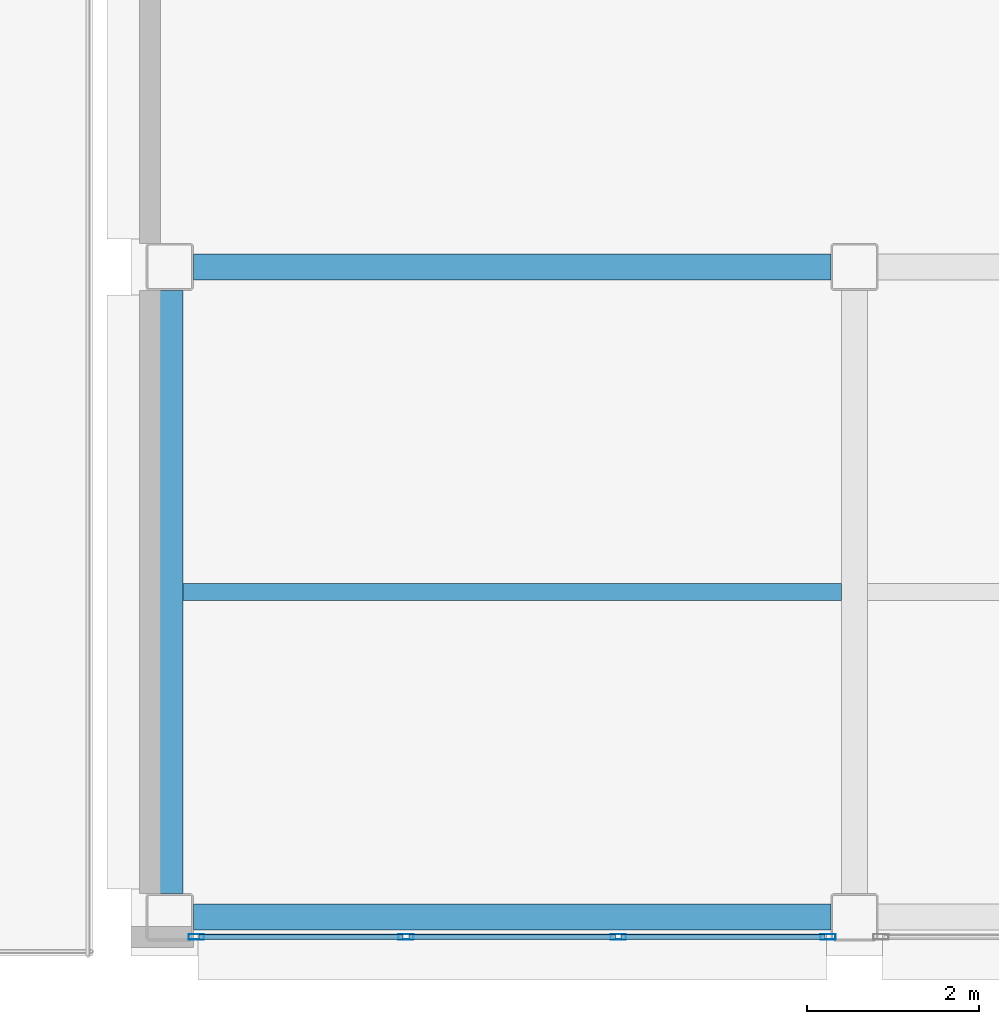
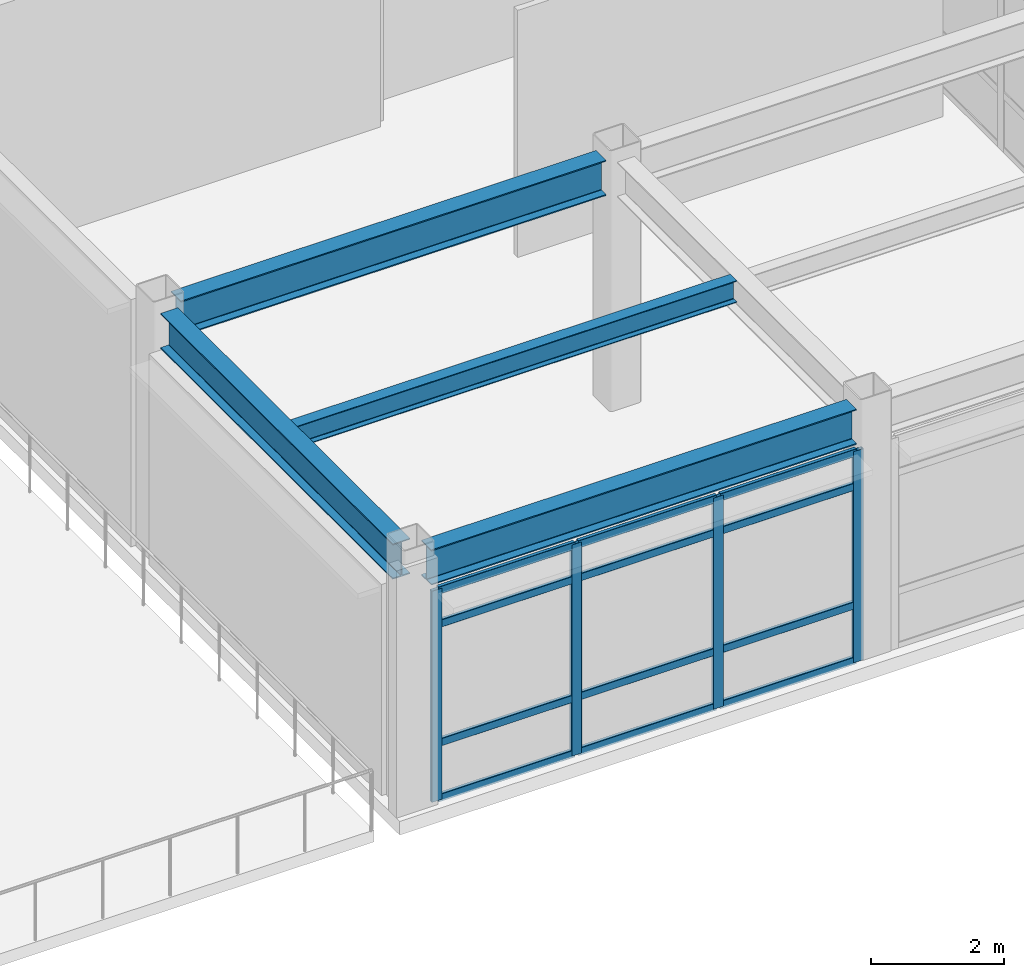
# One storey, part 15 of 154: 16 members, 4 beams, 1 element without a shape of its own.
"""IFC4 building model written with IfcOpenShell, lengths in metres."""

from ifc_helpers import new_model, si_unit, direction, frame, origin, origin_2d, place, context, subcontext, project, spatial, hollow_rectangle, i_section, extrude, material, layer, layer_set, material_profile, profile_set, type_object, element, aggregate, save


model = new_model("IFC4")

# Units and contexts
model_context = context("Model", 3, precision=1e-05, world=origin(), true_north=direction((0.0, 1.0)))
body_context = subcontext(model_context, "Body", "Model", "MODEL_VIEW")
ifc_project = project(units=[si_unit("LENGTHUNIT", "METRE"), si_unit("AREAUNIT", "SQUARE_METRE"), si_unit("VOLUMEUNIT", "CUBIC_METRE"), si_unit("PLANEANGLEUNIT", "RADIAN"), si_unit("MASSUNIT", "GRAM", prefix="KILO")], contexts=[model_context])

# Site, building, storey
site_placement = place(None, origin())
site = spatial("IfcSite", under=ifc_project, at=site_placement, CompositionType="ELEMENT")
building_placement = place(site_placement, origin())
building = spatial("IfcBuilding", under=site, at=building_placement, Name="Kazehara Bluff Congress Hotel", CompositionType="ELEMENT")
storey_placement = place(building_placement, frame((0.0, 0.0, 10.199951171875)))
storey = spatial("IfcBuildingStorey", under=building, at=storey_placement, Name="L02", CompositionType="ELEMENT", Elevation=10.199951171875)

# Curtain wall, members
ifc_material_1 = material(Name="Anodised aluminium", Category="aluminium")
ifc_layer = layer(ifc_material_1, 0.159912109375)
ifc_layer_set = layer_set([ifc_layer], Name="Anodised aluminium")
curtain_wall_type = type_object("IfcCurtainWallType", Name="TP-CW-34", PredefinedType="NOTDEFINED", material=ifc_layer_set)
curtain_wall_placement = place(storey_placement, origin())
curtain_wall = element("IfcCurtainWall", 1, at=curtain_wall_placement, inside=storey, type_object=curtain_wall_type, Name="L02 curtain wall CW-34 CW-ENC-V4-L02-6368-22", PredefinedType="NOTDEFINED")
ifc_material_2 = material(Name="Anodised aluminium", Category="aluminium")
ifc_material_profile_1 = material_profile(ifc_material_2, hollow_rectangle(XDim=0.06494140625, YDim=0.179931640625, WallThickness=0.00390625, InnerFilletRadius=0.00390625, OuterFilletRadius=0.008056640625, at=origin_2d()))
ifc_profile_set_1 = profile_set([ifc_material_profile_1], Name="Anodised aluminium")
member_type_1 = type_object("IfcMemberType", Name="TP-CWM-02", PredefinedType="MULLION", material=ifc_profile_set_1)
member_1_placement = place(storey_placement, frame((67.342529296875, 0.219970703125, 0.0), z_axis=(0.0, 0.0, 1.0), x_axis=(0.0, -1.0, 0.0)))
member_1 = element("IfcMember", 2, at=member_1_placement, type_object=member_type_1, Name="CW-34 mullion 1", PredefinedType="MULLION", context=body_context, shape_type="SweptSolid", body=[
    extrude(hollow_rectangle(XDim=0.06494140625, YDim=0.179931640625, WallThickness=0.00390625, InnerFilletRadius=0.00390625, OuterFilletRadius=0.008056640625, at=origin_2d()), origin(), (0.0, 0.0, 1.0), 3.885009765625),
])
member_2_placement = place(storey_placement, frame((64.908447265625, 0.219970703125, 0.0), z_axis=(0.0, 0.0, 1.0), x_axis=(0.0, -1.0, 0.0)))
member_2 = element("IfcMember", 3, at=member_2_placement, type_object=member_type_1, Name="CW-34 mullion 2", PredefinedType="MULLION", context=body_context, shape_type="SweptSolid", body=[
    extrude(hollow_rectangle(XDim=0.06494140625, YDim=0.179931640625, WallThickness=0.00390625, InnerFilletRadius=0.00390625, OuterFilletRadius=0.008056640625, at=origin_2d()), origin(), (0.0, 0.0, 1.0), 3.885009765625),
])
member_3_placement = place(storey_placement, frame((62.441650390625, 0.219970703125, 0.0), z_axis=(0.0, 0.0, 1.0), x_axis=(0.0, -1.0, 0.0)))
member_3 = element("IfcMember", 4, at=member_3_placement, type_object=member_type_1, Name="CW-34 mullion 3", PredefinedType="MULLION", context=body_context, shape_type="SweptSolid", body=[
    extrude(hollow_rectangle(XDim=0.06494140625, YDim=0.179931640625, WallThickness=0.00390625, InnerFilletRadius=0.00390625, OuterFilletRadius=0.008056640625, at=origin_2d()), origin(), (0.0, 0.0, 1.0), 3.885009765625),
])
member_4_placement = place(storey_placement, frame((60.007568359375, 0.219970703125, 0.0), z_axis=(0.0, 0.0, 1.0), x_axis=(0.0, -1.0, 0.0)))
member_4 = element("IfcMember", 5, at=member_4_placement, type_object=member_type_1, Name="CW-34 mullion 4", PredefinedType="MULLION", context=body_context, shape_type="SweptSolid", body=[
    extrude(hollow_rectangle(XDim=0.06494140625, YDim=0.179931640625, WallThickness=0.00390625, InnerFilletRadius=0.00390625, OuterFilletRadius=0.008056640625, at=origin_2d()), origin(), (0.0, 0.0, 1.0), 3.885009765625),
])
ifc_material_3 = material(Name="Anodised aluminium", Category="aluminium")
ifc_material_profile_2 = material_profile(ifc_material_3, hollow_rectangle(XDim=0.06494140625, YDim=0.139892578125, WallThickness=0.00390625, InnerFilletRadius=0.00390625, OuterFilletRadius=0.008056640625, at=origin_2d()))
ifc_profile_set_2 = profile_set([ifc_material_profile_2], Name="Anodised aluminium")
member_type_2 = type_object("IfcMemberType", Name="TP-CWT-02", PredefinedType="USERDEFINED", material=ifc_profile_set_2)
member_5_placement = place(storey_placement, frame((67.31005859375, 0.219970703125, 0.032470703125), z_axis=(-1.0, 0.0, 0.0), x_axis=(0.0, -1.0, 0.0)))
member_5 = element("IfcMember", 6, at=member_5_placement, type_object=member_type_2, Name="CW-34 transom 1.1", ObjectType="TRANSOM", PredefinedType="USERDEFINED", context=body_context, shape_type="SweptSolid", body=[
    extrude(hollow_rectangle(XDim=0.06494140625, YDim=0.139892578125, WallThickness=0.00390625, InnerFilletRadius=0.00390625, OuterFilletRadius=0.008056640625, at=origin_2d()), origin(), (0.0, 0.0, 1.0), 2.369140625),
])
member_6_placement = place(storey_placement, frame((67.31005859375, 0.219970703125, 1.050048828125), z_axis=(-1.0, 0.0, 0.0), x_axis=(0.0, -1.0, 0.0)))
member_6 = element("IfcMember", 7, at=member_6_placement, type_object=member_type_2, Name="CW-34 transom 1.2", ObjectType="TRANSOM", PredefinedType="USERDEFINED", context=body_context, shape_type="SweptSolid", body=[
    extrude(hollow_rectangle(XDim=0.06494140625, YDim=0.139892578125, WallThickness=0.00390625, InnerFilletRadius=0.00390625, OuterFilletRadius=0.008056640625, at=origin_2d()), origin(), (0.0, 0.0, 1.0), 2.369140625),
])
member_7_placement = place(storey_placement, frame((67.31005859375, 0.219970703125, 3.235107421875), z_axis=(-1.0, 0.0, 0.0), x_axis=(0.0, -1.0, 0.0)))
member_7 = element("IfcMember", 8, at=member_7_placement, type_object=member_type_2, Name="CW-34 transom 1.3", ObjectType="TRANSOM", PredefinedType="USERDEFINED", context=body_context, shape_type="SweptSolid", body=[
    extrude(hollow_rectangle(XDim=0.06494140625, YDim=0.139892578125, WallThickness=0.00390625, InnerFilletRadius=0.00390625, OuterFilletRadius=0.008056640625, at=origin_2d()), origin(), (0.0, 0.0, 1.0), 2.369140625),
])
member_8_placement = place(storey_placement, frame((67.31005859375, 0.219970703125, 3.8525390625), z_axis=(-1.0, 0.0, 0.0), x_axis=(0.0, -1.0, 0.0)))
member_8 = element("IfcMember", 9, at=member_8_placement, type_object=member_type_2, Name="CW-34 transom 1.4", ObjectType="TRANSOM", PredefinedType="USERDEFINED", context=body_context, shape_type="SweptSolid", body=[
    extrude(hollow_rectangle(XDim=0.06494140625, YDim=0.139892578125, WallThickness=0.00390625, InnerFilletRadius=0.00390625, OuterFilletRadius=0.008056640625, at=origin_2d()), origin(), (0.0, 0.0, 1.0), 2.369140625),
])
member_9_placement = place(storey_placement, frame((64.875732421875, 0.219970703125, 0.032470703125), z_axis=(-1.0, 0.0, 0.0), x_axis=(0.0, -1.0, 0.0)))
member_9 = element("IfcMember", 10, at=member_9_placement, type_object=member_type_2, Name="CW-34 transom 2.1", ObjectType="TRANSOM", PredefinedType="USERDEFINED", context=body_context, shape_type="SweptSolid", body=[
    extrude(hollow_rectangle(XDim=0.06494140625, YDim=0.139892578125, WallThickness=0.00390625, InnerFilletRadius=0.00390625, OuterFilletRadius=0.008056640625, at=origin_2d()), origin(), (0.0, 0.0, 1.0), 2.401611328125),
])
member_10_placement = place(storey_placement, frame((64.875732421875, 0.219970703125, 1.050048828125), z_axis=(-1.0, 0.0, 0.0), x_axis=(0.0, -1.0, 0.0)))
member_10 = element("IfcMember", 11, at=member_10_placement, type_object=member_type_2, Name="CW-34 transom 2.2", ObjectType="TRANSOM", PredefinedType="USERDEFINED", context=body_context, shape_type="SweptSolid", body=[
    extrude(hollow_rectangle(XDim=0.06494140625, YDim=0.139892578125, WallThickness=0.00390625, InnerFilletRadius=0.00390625, OuterFilletRadius=0.008056640625, at=origin_2d()), origin(), (0.0, 0.0, 1.0), 2.401611328125),
])
member_11_placement = place(storey_placement, frame((64.875732421875, 0.219970703125, 3.235107421875), z_axis=(-1.0, 0.0, 0.0), x_axis=(0.0, -1.0, 0.0)))
member_11 = element("IfcMember", 12, at=member_11_placement, type_object=member_type_2, Name="CW-34 transom 2.3", ObjectType="TRANSOM", PredefinedType="USERDEFINED", context=body_context, shape_type="SweptSolid", body=[
    extrude(hollow_rectangle(XDim=0.06494140625, YDim=0.139892578125, WallThickness=0.00390625, InnerFilletRadius=0.00390625, OuterFilletRadius=0.008056640625, at=origin_2d()), origin(), (0.0, 0.0, 1.0), 2.401611328125),
])
member_12_placement = place(storey_placement, frame((64.875732421875, 0.219970703125, 3.8525390625), z_axis=(-1.0, 0.0, 0.0), x_axis=(0.0, -1.0, 0.0)))
member_12 = element("IfcMember", 13, at=member_12_placement, type_object=member_type_2, Name="CW-34 transom 2.4", ObjectType="TRANSOM", PredefinedType="USERDEFINED", context=body_context, shape_type="SweptSolid", body=[
    extrude(hollow_rectangle(XDim=0.06494140625, YDim=0.139892578125, WallThickness=0.00390625, InnerFilletRadius=0.00390625, OuterFilletRadius=0.008056640625, at=origin_2d()), origin(), (0.0, 0.0, 1.0), 2.401611328125),
])
member_13_placement = place(storey_placement, frame((62.4091796875, 0.219970703125, 0.032470703125), z_axis=(-1.0, 0.0, 0.0), x_axis=(0.0, -1.0, 0.0)))
member_13 = element("IfcMember", 14, at=member_13_placement, type_object=member_type_2, Name="CW-34 transom 3.1", ObjectType="TRANSOM", PredefinedType="USERDEFINED", context=body_context, shape_type="SweptSolid", body=[
    extrude(hollow_rectangle(XDim=0.06494140625, YDim=0.139892578125, WallThickness=0.00390625, InnerFilletRadius=0.00390625, OuterFilletRadius=0.008056640625, at=origin_2d()), origin(), (0.0, 0.0, 1.0), 2.369140625),
])
member_14_placement = place(storey_placement, frame((62.4091796875, 0.219970703125, 1.050048828125), z_axis=(-1.0, 0.0, 0.0), x_axis=(0.0, -1.0, 0.0)))
member_14 = element("IfcMember", 15, at=member_14_placement, type_object=member_type_2, Name="CW-34 transom 3.2", ObjectType="TRANSOM", PredefinedType="USERDEFINED", context=body_context, shape_type="SweptSolid", body=[
    extrude(hollow_rectangle(XDim=0.06494140625, YDim=0.139892578125, WallThickness=0.00390625, InnerFilletRadius=0.00390625, OuterFilletRadius=0.008056640625, at=origin_2d()), origin(), (0.0, 0.0, 1.0), 2.369140625),
])
member_15_placement = place(storey_placement, frame((62.4091796875, 0.219970703125, 3.235107421875), z_axis=(-1.0, 0.0, 0.0), x_axis=(0.0, -1.0, 0.0)))
member_15 = element("IfcMember", 16, at=member_15_placement, type_object=member_type_2, Name="CW-34 transom 3.3", ObjectType="TRANSOM", PredefinedType="USERDEFINED", context=body_context, shape_type="SweptSolid", body=[
    extrude(hollow_rectangle(XDim=0.06494140625, YDim=0.139892578125, WallThickness=0.00390625, InnerFilletRadius=0.00390625, OuterFilletRadius=0.008056640625, at=origin_2d()), origin(), (0.0, 0.0, 1.0), 2.369140625),
])
member_16_placement = place(storey_placement, frame((62.4091796875, 0.219970703125, 3.8525390625), z_axis=(-1.0, 0.0, 0.0), x_axis=(0.0, -1.0, 0.0)))
member_16 = element("IfcMember", 17, at=member_16_placement, type_object=member_type_2, Name="CW-34 transom 3.4", ObjectType="TRANSOM", PredefinedType="USERDEFINED", context=body_context, shape_type="SweptSolid", body=[
    extrude(hollow_rectangle(XDim=0.06494140625, YDim=0.139892578125, WallThickness=0.00390625, InnerFilletRadius=0.00390625, OuterFilletRadius=0.008056640625, at=origin_2d()), origin(), (0.0, 0.0, 1.0), 2.369140625),
])
aggregate(curtain_wall, [member_1, member_2, member_3, member_4, member_5, member_6, member_7, member_8, member_9, member_10, member_11, member_12, member_13, member_14, member_15, member_16])

# Beams
ifc_material_4 = material(Name="Steel SN490B", Category="steel")
ifc_material_profile_3 = material_profile(ifc_material_4, i_section(OverallWidth=0.300048828125, OverallDepth=0.64990234375, WebThickness=0.011962890625, FlangeThickness=0.02001953125, FilletRadius=0.012939453125, at=origin_2d()))
ifc_profile_set_3 = profile_set([ifc_material_profile_3], Name="Steel SN490B")
beam_type_1 = type_object("IfcBeamType", Name="TP-G-03", PredefinedType="BEAM", material=ifc_profile_set_3)
beam_1_placement = place(storey_placement, frame((59.699951171875, 0.72509765625, 4.235107421875), z_axis=(0.0, 1.0, 0.0), x_axis=(-1.0, 0.0, 0.0)))
element("IfcBeam", 18, at=beam_1_placement, inside=storey, type_object=beam_type_1, Name="L02 girder G-03 57", PredefinedType="BEAM", context=body_context, shape_type="SweptSolid", body=[
    extrude(i_section(OverallWidth=0.300048828125, OverallDepth=0.64990234375, WebThickness=0.011962890625, FlangeThickness=0.02001953125, FilletRadius=0.012939453125, at=origin_2d()), origin(), (0.0, 0.0, 1.0), 7.0),
])
for number, where, z_axis, x_axis, name in (
    (19, (59.97509765625, 0.449951171875, 4.235107421875), (1.0, 0.0, 0.0), (0.0, 1.0, 0.0), "L02 girder G-03 94"),
    (20, (59.97509765625, 8.0, 4.235107421875), (1.0, 0.0, 0.0), (0.0, 1.0, 0.0), "L02 girder G-03 96"),
):
    element("IfcBeam", number, at=place(storey_placement, frame(where, z_axis=z_axis, x_axis=x_axis)), inside=storey, type_object=beam_type_1, Name=name, PredefinedType="BEAM", context=body_context, shape_type="SweptSolid", body=[
        extrude(i_section(OverallWidth=0.300048828125, OverallDepth=0.64990234375, WebThickness=0.011962890625, FlangeThickness=0.02001953125, FilletRadius=0.012939453125, at=origin_2d()), origin(), (0.0, 0.0, 1.0), 7.39990234375),
    ])
ifc_material_5 = material(Name="Steel SN400B", Category="steel")
ifc_material_profile_4 = material_profile(ifc_material_5, i_section(OverallWidth=0.199951171875, OverallDepth=0.39990234375, WebThickness=0.008056640625, FlangeThickness=0.012939453125, FilletRadius=0.012939453125, at=origin_2d()))
ifc_profile_set_4 = profile_set([ifc_material_profile_4], Name="Steel SN400B")
beam_type_2 = type_object("IfcBeamType", Name="TP-J-03", PredefinedType="JOIST", material=ifc_profile_set_4)
beam_2_placement = place(storey_placement, frame((59.85009765625, 4.22509765625, 4.360107421875), z_axis=(1.0, 0.0, 0.0), x_axis=(0.0, 1.0, 0.0)))
element("IfcBeam", 21, at=beam_2_placement, inside=storey, type_object=beam_type_2, Name="L02 secondary joist J-03 5", PredefinedType="JOIST", context=body_context, shape_type="SweptSolid", body=[
    extrude(i_section(OverallWidth=0.199951171875, OverallDepth=0.39990234375, WebThickness=0.008056640625, FlangeThickness=0.012939453125, FilletRadius=0.012939453125, at=origin_2d()), origin(), (0.0, 0.0, 1.0), 7.64990234375),
])

save(model, "model.ifc")
